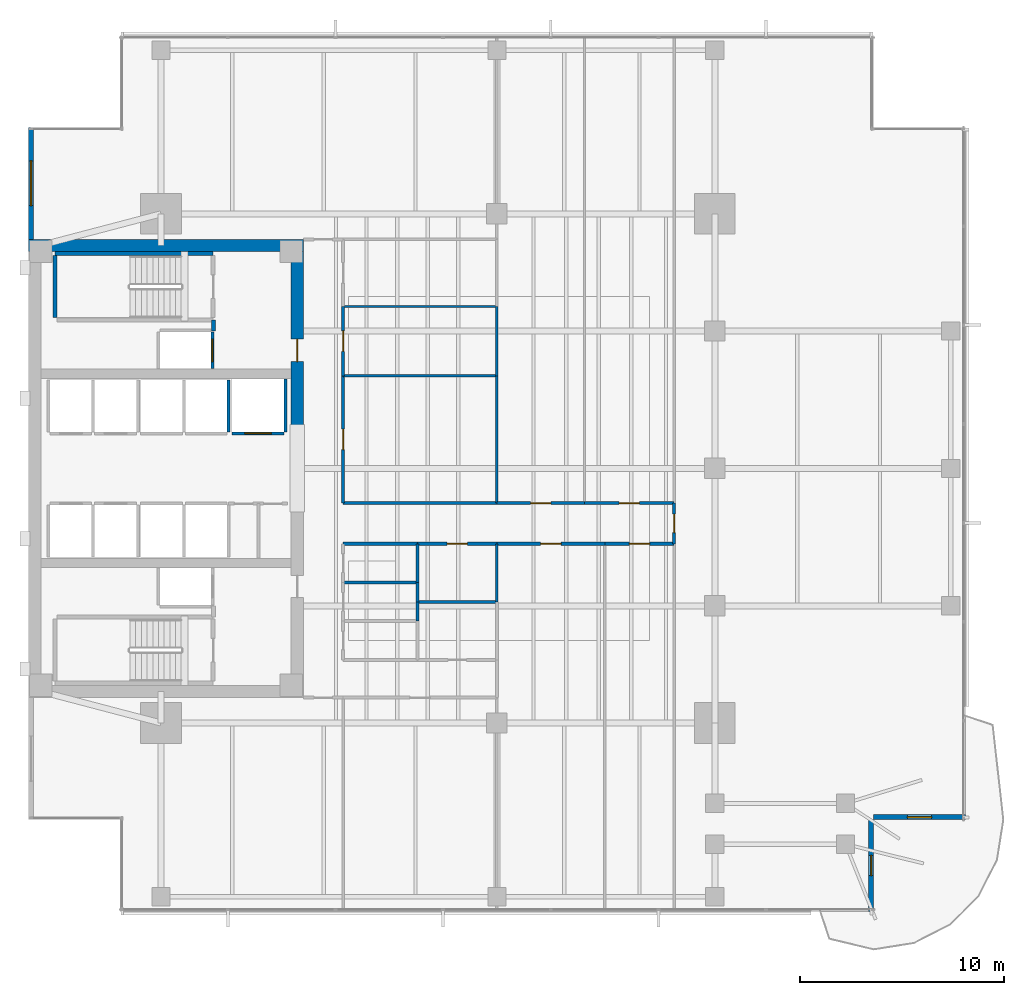
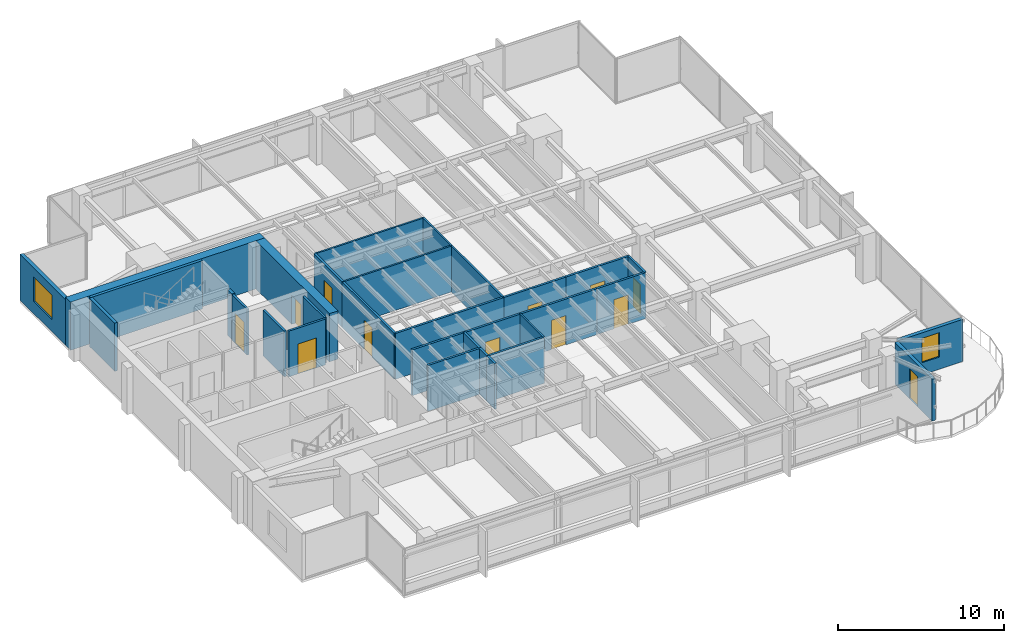
# One storey, part 9 of 14: 32 walls, 12 doors, 2 windows, 14 openings.
"""IFC4 building model written with IfcOpenShell, lengths in metres."""

from ifc_helpers import new_model, si_unit, direction, frame, frame_2d, origin, place, context, subcontext, project, spatial, rectangle, extrude, material, layer, layer_set, type_object, element, fill, save


model = new_model("IFC4")

# Units and contexts
model_context = context("Model", 3, precision=1e-05, world=origin(), true_north=direction((0.0, 1.0)))
body_context = subcontext(model_context, "Body", "Model", "MODEL_VIEW")
ifc_project = project(units=[si_unit("LENGTHUNIT", "METRE"), si_unit("AREAUNIT", "SQUARE_METRE"), si_unit("VOLUMEUNIT", "CUBIC_METRE"), si_unit("PLANEANGLEUNIT", "RADIAN"), si_unit("MASSUNIT", "GRAM", prefix="KILO")], contexts=[model_context])

# Site, building, storey
site_placement = place(None, origin())
site = spatial("IfcSite", under=ifc_project, at=site_placement, CompositionType="ELEMENT")
building_placement = place(site_placement, origin())
building = spatial("IfcBuilding", under=site, at=building_placement, Name="Kinhvarn Gate Tower", CompositionType="ELEMENT")
storey_placement = place(building_placement, frame((0.0, 0.0, 134.199951171875)))
storey = spatial("IfcBuildingStorey", under=building, at=storey_placement, Name="L35", CompositionType="ELEMENT", Elevation=134.199951171875)

# Wall
ifc_material_1 = material(Name="Concrete C60/75", Category="concrete")
ifc_layer_1 = layer(ifc_material_1, 0.60009765625)
ifc_layer_set_1 = layer_set([ifc_layer_1], Name="Concrete C60/75")
wall_type_1 = type_object("IfcWallType", Name="WL-CORE-600", PredefinedType="SHEAR", material=ifc_layer_set_1)
wall_1_placement = place(storey_placement, frame((4.5, 36.199951171875, 0.0), z_axis=(0.0, 0.0, 1.0), x_axis=(1.0, 0.0, 0.0)))
element("IfcWall", 1, at=wall_1_placement, inside=storey, type_object=wall_type_1, Name="Core North Shear Wall L35 600 mm", PredefinedType="SHEAR", context=body_context, shape_type="SweptSolid", body=[
    extrude(rectangle(XDim=13.5, YDim=0.60009765625, at=frame_2d((6.75, 0.0))), origin(), (0.0, 0.0, 1.0), 3.550048828125),
])

# Wall, opening, door
wall_2_placement = place(storey_placement, frame((17.699951171875, 27.050048828125, 0.0), z_axis=(0.0, 0.0, 1.0), x_axis=(0.0, 1.0, 0.0)))
wall_2 = element("IfcWall", 2, at=wall_2_placement, inside=storey, type_object=wall_type_1, Name="Core East-North Shear Pier L35 600 mm", PredefinedType="SHEAR", context=body_context, shape_type="SweptSolid", body=[
    extrude(rectangle(XDim=8.849853515625, YDim=0.60009765625, at=frame_2d((4.4248046875, 0.0))), origin(), (0.0, 0.0, 1.0), 3.550048828125),
])
opening_1_placement = place(wall_2_placement, frame((3.449951171875, 0.0, 0.0)))
opening_1 = element("IfcOpeningElement", 3, at=opening_1_placement, cuts=wall_2, Name="Opening FD-02", PredefinedType="OPENING", context=body_context, shape_type="SweptSolid", body=[
    extrude(rectangle(XDim=1.10009765625, YDim=2.14990234375, at=frame_2d((0.550048828125, 1.074951171875))), frame((0.0, 0.31005859375, 0.0), z_axis=(0.0, -1.0, 0.0), x_axis=(1.0, 0.0, 0.0)), (0.0, 0.0, 1.0), 0.6201171875),
])
ifc_material_2 = material(Name="Anodised aluminium AW-6063", Category="aluminium")
door_type_1 = type_object("IfcDoorType", Name="DR-FD-1100", OperationType="NOTDEFINED", PredefinedType="DOOR", material=ifc_material_2)
door_1_placement = place(opening_1_placement, origin())
door_1 = element("IfcDoor", 4, at=door_1_placement, inside=storey, type_object=door_type_1, Name="Firefighting Lobby Core Door (L35)", OperationType="SINGLE_SWING_LEFT", OverallHeight=2.14990234375, OverallWidth=1.10009765625, PredefinedType="DOOR", context=body_context, shape_type="SweptSolid", body=[
    extrude(rectangle(XDim=1.10009765625, YDim=2.14990234375, at=frame_2d((0.550048828125, 1.074951171875))), frame((0.0, 0.02490234375, 0.0), z_axis=(0.0, -1.0, 0.0), x_axis=(1.0, 0.0, 0.0)), (0.0, 0.0, 1.0), 0.050048828125),
])
fill(opening_1, door_1)

# Wall, opening, window
ifc_material_3 = material(Name="Fired architectural terracotta", Category="masonry")
ifc_layer_2 = layer(ifc_material_3, 0.25)
ifc_layer_set_2 = layer_set([ifc_layer_2], Name="Fired architectural terracotta")
wall_type_2 = type_object("IfcWallType", Name="WL-EXT-250", PredefinedType="SOLIDWALL", material=ifc_layer_set_2)
wall_3_placement = place(storey_placement, frame((4.625, 42.0, 0.0), z_axis=(0.0, 0.0, 1.0), x_axis=(0.0, -1.0, 0.0)))
wall_3 = element("IfcWall", 5, at=wall_3_placement, inside=storey, type_object=wall_type_2, Name="Exterior Solidwall Wall EW-250 (L35 West-North)", PredefinedType="SOLIDWALL", context=body_context, shape_type="SweptSolid", body=[
    extrude(rectangle(XDim=5.5, YDim=0.25, at=frame_2d((2.75, 0.0))), origin(), (0.0, 0.0, 1.0), 3.3701171875),
])
opening_2_placement = place(wall_3_placement, frame((1.64990234375, 0.0, 0.89990234375)))
opening_2 = element("IfcOpeningElement", 6, at=opening_2_placement, cuts=wall_3, Name="Opening WN-01", PredefinedType="OPENING", context=body_context, shape_type="SweptSolid", body=[
    extrude(rectangle(XDim=2.199951171875, YDim=1.800048828125, at=frame_2d((1.10009765625, 0.89990234375))), frame((0.0, 0.135009765625, 0.0), z_axis=(0.0, -1.0, 0.0), x_axis=(1.0, 0.0, 0.0)), (0.0, 0.0, 1.0), 0.27001953125),
])
ifc_material_4 = material(Name="Clear low-e double glazing", Category="glass")
window_type_1 = type_object("IfcWindowType", Name="WIN-RIB-2200", PartitioningType="SINGLE_PANEL", PredefinedType="WINDOW", material=ifc_material_4)
window_1_placement = place(opening_2_placement, origin())
window_1 = element("IfcWindow", 7, at=window_1_placement, inside=storey, type_object=window_type_1, Name="West Flank Double-Glazed Ribbon Window 2200x1800 mm (L35)", OverallHeight=1.800048828125, OverallWidth=2.199951171875, PartitioningType="SINGLE_PANEL", PredefinedType="WINDOW", context=body_context, shape_type="SweptSolid", body=[
    extrude(rectangle(XDim=2.199951171875, YDim=1.800048828125, at=frame_2d((1.10009765625, 0.89990234375))), frame((0.0, 0.030029296875, 0.0), z_axis=(0.0, -1.0, 0.0), x_axis=(1.0, 0.0, 0.0)), (0.0, 0.0, 1.0), 0.06005859375),
])
fill(opening_2, window_1)

# Wall, opening, door
wall_4_placement = place(storey_placement, frame((45.875, 3.5, 0.0), z_axis=(0.0, 0.0, 1.0), x_axis=(0.0, 1.0, 0.0)))
wall_4 = element("IfcWall", 8, at=wall_4_placement, inside=storey, type_object=wall_type_2, Name="Exterior Solidwall Wall EW-250 (L35 SE-Notch-Door)", PredefinedType="SOLIDWALL", context=body_context, shape_type="SweptSolid", body=[
    extrude(rectangle(XDim=4.5, YDim=0.25, at=frame_2d((2.25, 0.0))), origin(), (0.0, 0.0, 1.0), 3.070068359375),
])
opening_3_placement = place(wall_4_placement, frame((1.75, 0.0, 0.0)))
opening_3 = element("IfcOpeningElement", 9, at=opening_3_placement, cuts=wall_4, Name="Opening BD-01", PredefinedType="OPENING", context=body_context, shape_type="SweptSolid", body=[
    extrude(rectangle(XDim=1.0, YDim=2.199951171875, at=frame_2d((0.5, 1.10009765625))), frame((0.0, 0.135009765625, 0.0), z_axis=(0.0, -1.0, 0.0), x_axis=(1.0, 0.0, 0.0)), (0.0, 0.0, 1.0), 0.27001953125),
])
door_type_2 = type_object("IfcDoorType", Name="DR-BAL-1000", OperationType="NOTDEFINED", PredefinedType="DOOR", material=ifc_material_4)
door_2_placement = place(opening_3_placement, frame((1.0, 0.0, 0.0), z_axis=(0.0, 0.0, 1.0), x_axis=(-1.0, 0.0, 0.0)))
door_2 = element("IfcDoor", 10, at=door_2_placement, inside=storey, type_object=door_type_2, Name="S-Carve Balcony Door BD-01 (L35)", OperationType="SINGLE_SWING_LEFT", OverallHeight=2.199951171875, OverallWidth=1.0, PredefinedType="DOOR", context=body_context, shape_type="SweptSolid", body=[
    extrude(rectangle(XDim=1.0, YDim=2.199951171875, at=frame_2d((0.5, 1.10009765625))), frame((0.0, 0.02490234375, 0.0), z_axis=(0.0, -1.0, 0.0), x_axis=(1.0, 0.0, 0.0)), (0.0, 0.0, 1.0), 0.050048828125),
])
fill(opening_3, door_2)

# Wall, opening, window
wall_5_placement = place(storey_placement, frame((46.0, 8.125, 0.0), z_axis=(0.0, 0.0, 1.0), x_axis=(1.0, 0.0, 0.0)))
wall_5 = element("IfcWall", 11, at=wall_5_placement, inside=storey, type_object=wall_type_2, Name="Exterior Solidwall Wall EW-250 (L35 SE-Notch-Win)", PredefinedType="SOLIDWALL", context=body_context, shape_type="SweptSolid", body=[
    extrude(rectangle(XDim=4.5, YDim=0.25, at=frame_2d((2.25, 0.0))), origin(), (0.0, 0.0, 1.0), 3.10009765625),
])
opening_4_placement = place(wall_5_placement, frame((1.64990234375, 0.0, 0.89990234375)))
opening_4 = element("IfcOpeningElement", 12, at=opening_4_placement, cuts=wall_5, Name="Opening WN-02", PredefinedType="OPENING", context=body_context, shape_type="SweptSolid", body=[
    extrude(rectangle(XDim=1.199951171875, YDim=1.800048828125, at=frame_2d((0.60009765625, 0.89990234375))), frame((0.0, 0.135009765625, 0.0), z_axis=(0.0, -1.0, 0.0), x_axis=(1.0, 0.0, 0.0)), (0.0, 0.0, 1.0), 0.27001953125),
])
window_type_2 = type_object("IfcWindowType", Name="WIN-NTC-1200", PartitioningType="SINGLE_PANEL", PredefinedType="WINDOW", material=ifc_material_4)
window_2_placement = place(opening_4_placement, origin())
window_2 = element("IfcWindow", 13, at=window_2_placement, inside=storey, type_object=window_type_2, Name="Recessed Corner Notch Punched Window 1200x1800 mm (L35)", OverallHeight=1.800048828125, OverallWidth=1.199951171875, PartitioningType="SINGLE_PANEL", PredefinedType="WINDOW", context=body_context, shape_type="SweptSolid", body=[
    extrude(rectangle(XDim=1.199951171875, YDim=1.800048828125, at=frame_2d((0.60009765625, 0.89990234375))), frame((0.0, 0.030029296875, 0.0), z_axis=(0.0, -1.0, 0.0), x_axis=(1.0, 0.0, 0.0)), (0.0, 0.0, 1.0), 0.06005859375),
])
fill(opening_4, window_2)

# Walls
ifc_material_5 = material(Name="Gypsum acoustic partition board")
ifc_layer_3 = layer(ifc_material_5, 0.14990234375)
ifc_layer_set_3 = layer_set([ifc_layer_3], Name="Gypsum acoustic partition board")
wall_type_3 = type_object("IfcWallType", Name="WL-PLM-150", PredefinedType="PLUMBINGWALL", material=ifc_layer_set_3)
wall_6_placement = place(storey_placement, frame((19.949951171875, 19.64990234375, 0.0), z_axis=(0.0, 0.0, 1.0), x_axis=(1.0, 0.0, 0.0)))
element("IfcWall", 14, at=wall_6_placement, inside=storey, type_object=wall_type_3, Name="Interior Partition PLW-150 (L35)", PredefinedType="PLUMBINGWALL", context=body_context, shape_type="SweptSolid", body=[
    extrude(rectangle(XDim=3.650146484375, YDim=0.14990234375, at=frame_2d((1.8251953125, 0.0))), origin(), (0.0, 0.0, 1.0), 3.3701171875),
])
for number, where, z_axis, x_axis, name in (
    (15, (23.60009765625, 17.75, 0.0), (0.0, 0.0, 1.0), (0.0, 1.0, 0.0), "Interior Partition PLW-150 (L35)"),
    (16, (23.60009765625, 18.699951171875, 0.0), (0.0, 0.0, 1.0), (0.0, 1.0, 0.0), "Interior Partition PLW-150 (L35)"),
):
    element("IfcWall", number, at=place(storey_placement, frame(where, z_axis=z_axis, x_axis=x_axis)), inside=storey, type_object=wall_type_3, Name=name, PredefinedType="PLUMBINGWALL", context=body_context, shape_type="SweptSolid", body=[
        extrude(rectangle(XDim=0.949951171875, YDim=0.14990234375, at=frame_2d((0.47509765625, 0.0))), origin(), (0.0, 0.0, 1.0), 3.3701171875),
    ])
wall_7_placement = place(storey_placement, frame((23.60009765625, 19.64990234375, 0.0), z_axis=(0.0, 0.0, 1.0), x_axis=(0.0, 1.0, 0.0)))
element("IfcWall", 17, at=wall_7_placement, inside=storey, type_object=wall_type_3, Name="Interior Partition PLW-150 (L35)", PredefinedType="PLUMBINGWALL", context=body_context, shape_type="SweptSolid", body=[
    extrude(rectangle(XDim=1.900146484375, YDim=0.14990234375, at=frame_2d((0.9501953125, 0.0))), origin(), (0.0, 0.0, 1.0), 3.3701171875),
])
wall_8_placement = place(storey_placement, frame((23.60009765625, 18.699951171875, 0.0), z_axis=(0.0, 0.0, 1.0), x_axis=(1.0, 0.0, 0.0)))
element("IfcWall", 18, at=wall_8_placement, inside=storey, type_object=wall_type_3, Name="Interior Partition PLW-150 (L35)", PredefinedType="PLUMBINGWALL", context=body_context, shape_type="SweptSolid", body=[
    extrude(rectangle(XDim=3.89990234375, YDim=0.14990234375, at=frame_2d((1.949951171875, 0.0))), origin(), (0.0, 0.0, 1.0), 3.3701171875),
])
ifc_layer_4 = layer(ifc_material_5, 0.14990234375)
ifc_layer_set_4 = layer_set([ifc_layer_4], Name="Gypsum acoustic partition board")
wall_type_4 = type_object("IfcWallType", Name="WL-PLM-150F", PredefinedType="PLUMBINGWALL", material=ifc_layer_set_4)
wall_9_placement = place(storey_placement, frame((19.949951171875, 21.550048828125, 0.0), z_axis=(0.0, 0.0, 1.0), x_axis=(1.0, 0.0, 0.0)))
element("IfcWall", 19, at=wall_9_placement, inside=storey, type_object=wall_type_4, Name="Interior Partition PLW-150F (L35)", PredefinedType="PLUMBINGWALL", context=body_context, shape_type="SweptSolid", body=[
    extrude(rectangle(XDim=3.650146484375, YDim=0.14990234375, at=frame_2d((1.8251953125, 0.0))), origin(), (0.0, 0.0, 1.0), 3.3701171875),
])
ifc_layer_5 = layer(ifc_material_5, 0.1201171875)
ifc_layer_set_5 = layer_set([ifc_layer_5], Name="Gypsum acoustic partition board")
wall_type_5 = type_object("IfcWallType", Name="WL-PRT-120", PredefinedType="PARTITIONING", material=ifc_layer_set_5)
wall_10_placement = place(storey_placement, frame((27.5, 18.699951171875, 0.0), z_axis=(0.0, 0.0, 1.0), x_axis=(0.0, 1.0, 0.0)))
element("IfcWall", 20, at=wall_10_placement, inside=storey, type_object=wall_type_5, Name="Interior Partition PW-120 (L35)", PredefinedType="PARTITIONING", context=body_context, shape_type="SweptSolid", body=[
    extrude(rectangle(XDim=2.85009765625, YDim=0.1201171875, at=frame_2d((1.425048828125, 0.0))), origin(), (0.0, 0.0, 1.0), 3.3701171875),
])
wall_11_placement = place(storey_placement, frame((19.949951171875, 29.800048828125, 0.0), z_axis=(0.0, 0.0, 1.0), x_axis=(1.0, 0.0, 0.0)))
element("IfcWall", 21, at=wall_11_placement, inside=storey, type_object=wall_type_5, Name="Interior Partition PW-120 (L35)", PredefinedType="PARTITIONING", context=body_context, shape_type="SweptSolid", body=[
    extrude(rectangle(XDim=7.550048828125, YDim=0.1201171875, at=frame_2d((3.77490234375, 0.0))), origin(), (0.0, 0.0, 1.0), 3.3701171875),
])
wall_12_placement = place(storey_placement, frame((27.5, 23.550048828125, 0.0), z_axis=(0.0, 0.0, 1.0), x_axis=(0.0, 1.0, 0.0)))
element("IfcWall", 22, at=wall_12_placement, inside=storey, type_object=wall_type_5, Name="Interior Partition PW-120 (L35)", PredefinedType="PARTITIONING", context=body_context, shape_type="SweptSolid", body=[
    extrude(rectangle(XDim=6.25, YDim=0.1201171875, at=frame_2d((3.125, 0.0))), origin(), (0.0, 0.0, 1.0), 3.3701171875),
])
wall_13_placement = place(storey_placement, frame((19.949951171875, 33.199951171875, 0.0), z_axis=(0.0, 0.0, 1.0), x_axis=(1.0, 0.0, 0.0)))
element("IfcWall", 23, at=wall_13_placement, inside=storey, type_object=wall_type_5, Name="Interior Partition PW-120 (L35)", PredefinedType="PARTITIONING", context=body_context, shape_type="SweptSolid", body=[
    extrude(rectangle(XDim=7.550048828125, YDim=0.1201171875, at=frame_2d((3.77490234375, 0.0))), origin(), (0.0, 0.0, 1.0), 3.3701171875),
])
wall_14_placement = place(storey_placement, frame((27.5, 29.800048828125, 0.0), z_axis=(0.0, 0.0, 1.0), x_axis=(0.0, 1.0, 0.0)))
element("IfcWall", 24, at=wall_14_placement, inside=storey, type_object=wall_type_5, Name="Interior Partition PW-120 (L35)", PredefinedType="PARTITIONING", context=body_context, shape_type="SweptSolid", body=[
    extrude(rectangle(XDim=3.39990234375, YDim=0.1201171875, at=frame_2d((1.699951171875, 0.0))), origin(), (0.0, 0.0, 1.0), 3.3701171875),
])

# Wall, opening, door
ifc_layer_6 = layer(ifc_material_5, 0.14990234375)
ifc_layer_set_6 = layer_set([ifc_layer_6], Name="Gypsum acoustic partition board")
wall_type_6 = type_object("IfcWallType", Name="WL-PRT-150F", PredefinedType="PARTITIONING", material=ifc_layer_set_6)
wall_15_placement = place(storey_placement, frame((19.949951171875, 23.550048828125, 0.0), z_axis=(0.0, 0.0, 1.0), x_axis=(0.0, 1.0, 0.0)))
wall_15 = element("IfcWall", 25, at=wall_15_placement, inside=storey, type_object=wall_type_6, Name="Interior Partition PW-150F (L35)", PredefinedType="PARTITIONING", context=body_context, shape_type="SweptSolid", body=[
    extrude(rectangle(XDim=6.25, YDim=0.14990234375, at=frame_2d((3.125, 0.0))), origin(), (0.0, 0.0, 1.0), 3.3701171875),
])
opening_5_placement = place(wall_15_placement, frame((2.625, 0.0, 0.0)))
opening_5 = element("IfcOpeningElement", 26, at=opening_5_placement, cuts=wall_15, Name="Opening ID-02", PredefinedType="OPENING", context=body_context, shape_type="SweptSolid", body=[
    extrude(rectangle(XDim=1.0, YDim=2.14990234375, at=frame_2d((0.5, 1.074951171875))), frame((0.0, 0.0849609375, 0.0), z_axis=(0.0, -1.0, 0.0), x_axis=(1.0, 0.0, 0.0)), (0.0, 0.0, 1.0), 0.169921875),
])
door_type_3 = type_object("IfcDoorType", Name="DR-INT-1000", OperationType="NOTDEFINED", PredefinedType="DOOR", material=ifc_material_2)
door_3_placement = place(opening_5_placement, origin())
door_3 = element("IfcDoor", 27, at=door_3_placement, inside=storey, type_object=door_type_3, Name="Standard Office & Meeting Room Door 1000x2150 mm (L35)", OperationType="SINGLE_SWING_RIGHT", OverallHeight=2.14990234375, OverallWidth=1.0, PredefinedType="DOOR", context=body_context, shape_type="SweptSolid", body=[
    extrude(rectangle(XDim=1.0, YDim=2.14990234375, at=frame_2d((0.5, 1.074951171875))), frame((0.0, 0.02490234375, 0.0), z_axis=(0.0, -1.0, 0.0), x_axis=(1.0, 0.0, 0.0)), (0.0, 0.0, 1.0), 0.050048828125),
])
fill(opening_5, door_3)

wall_16_placement = place(storey_placement, frame((19.949951171875, 29.800048828125, 0.0), z_axis=(0.0, 0.0, 1.0), x_axis=(0.0, 1.0, 0.0)))
wall_16 = element("IfcWall", 28, at=wall_16_placement, inside=storey, type_object=wall_type_6, Name="Interior Partition PW-150F (L35)", PredefinedType="PARTITIONING", context=body_context, shape_type="SweptSolid", body=[
    extrude(rectangle(XDim=3.39990234375, YDim=0.14990234375, at=frame_2d((1.699951171875, 0.0))), origin(), (0.0, 0.0, 1.0), 3.3701171875),
])
opening_6_placement = place(wall_16_placement, frame((1.199951171875, 0.0, 0.0)))
opening_6 = element("IfcOpeningElement", 29, at=opening_6_placement, cuts=wall_16, Name="Opening ID-02", PredefinedType="OPENING", context=body_context, shape_type="SweptSolid", body=[
    extrude(rectangle(XDim=1.0, YDim=2.14990234375, at=frame_2d((0.5, 1.074951171875))), frame((0.0, 0.0849609375, 0.0), z_axis=(0.0, -1.0, 0.0), x_axis=(1.0, 0.0, 0.0)), (0.0, 0.0, 1.0), 0.169921875),
])
door_4_placement = place(opening_6_placement, origin())
door_4 = element("IfcDoor", 30, at=door_4_placement, inside=storey, type_object=door_type_3, Name="Standard Office & Meeting Room Door 1000x2150 mm (L35)", OperationType="SINGLE_SWING_LEFT", OverallHeight=2.14990234375, OverallWidth=1.0, PredefinedType="DOOR", context=body_context, shape_type="SweptSolid", body=[
    extrude(rectangle(XDim=1.0, YDim=2.14990234375, at=frame_2d((0.5, 1.074951171875))), frame((0.0, 0.02490234375, 0.0), z_axis=(0.0, -1.0, 0.0), x_axis=(1.0, 0.0, 0.0)), (0.0, 0.0, 1.0), 0.050048828125),
])
fill(opening_6, door_4)

wall_17_placement = place(storey_placement, frame((23.60009765625, 21.550048828125, 0.0), z_axis=(0.0, 0.0, 1.0), x_axis=(1.0, 0.0, 0.0)))
wall_17 = element("IfcWall", 31, at=wall_17_placement, inside=storey, type_object=wall_type_6, Name="Interior Partition PW-150F (L35)", PredefinedType="PARTITIONING", context=body_context, shape_type="SweptSolid", body=[
    extrude(rectangle(XDim=3.89990234375, YDim=0.14990234375, at=frame_2d((1.949951171875, 0.0))), origin(), (0.0, 0.0, 1.0), 3.3701171875),
])
opening_7_placement = place(wall_17_placement, frame((1.449951171875, 0.0, 0.0)))
opening_7 = element("IfcOpeningElement", 32, at=opening_7_placement, cuts=wall_17, Name="Opening ID-02", PredefinedType="OPENING", context=body_context, shape_type="SweptSolid", body=[
    extrude(rectangle(XDim=1.0, YDim=2.14990234375, at=frame_2d((0.5, 1.074951171875))), frame((0.0, 0.0849609375, 0.0), z_axis=(0.0, -1.0, 0.0), x_axis=(1.0, 0.0, 0.0)), (0.0, 0.0, 1.0), 0.169921875),
])
door_5_placement = place(opening_7_placement, origin())
door_5 = element("IfcDoor", 33, at=door_5_placement, inside=storey, type_object=door_type_3, Name="Standard Office & Meeting Room Door 1000x2150 mm (L35)", OperationType="SINGLE_SWING_LEFT", OverallHeight=2.14990234375, OverallWidth=1.0, PredefinedType="DOOR", context=body_context, shape_type="SweptSolid", body=[
    extrude(rectangle(XDim=1.0, YDim=2.14990234375, at=frame_2d((0.5, 1.074951171875))), frame((0.0, 0.02490234375, 0.0), z_axis=(0.0, -1.0, 0.0), x_axis=(1.0, 0.0, 0.0)), (0.0, 0.0, 1.0), 0.050048828125),
])
fill(opening_7, door_5)

# Wall
wall_18_placement = place(storey_placement, frame((19.949951171875, 23.550048828125, 0.0), z_axis=(0.0, 0.0, 1.0), x_axis=(1.0, 0.0, 0.0)))
element("IfcWall", 34, at=wall_18_placement, inside=storey, type_object=wall_type_6, Name="Interior Partition PW-150F (L35)", PredefinedType="PARTITIONING", context=body_context, shape_type="SweptSolid", body=[
    extrude(rectangle(XDim=7.550048828125, YDim=0.14990234375, at=frame_2d((3.77490234375, 0.0))), origin(), (0.0, 0.0, 1.0), 3.3701171875),
])

# Wall, opening, door
wall_19_placement = place(storey_placement, frame((27.5, 21.550048828125, 0.0), z_axis=(0.0, 0.0, 1.0), x_axis=(1.0, 0.0, 0.0)))
wall_19 = element("IfcWall", 35, at=wall_19_placement, inside=storey, type_object=wall_type_6, Name="Interior Partition PW-150F (L35)", PredefinedType="PARTITIONING", context=body_context, shape_type="SweptSolid", body=[
    extrude(rectangle(XDim=5.300048828125, YDim=0.14990234375, at=frame_2d((2.64990234375, 0.0))), origin(), (0.0, 0.0, 1.0), 3.3701171875),
])
opening_8_placement = place(wall_19_placement, frame((2.14990234375, 0.0, 0.0)))
opening_8 = element("IfcOpeningElement", 36, at=opening_8_placement, cuts=wall_19, Name="Opening ID-02", PredefinedType="OPENING", context=body_context, shape_type="SweptSolid", body=[
    extrude(rectangle(XDim=1.0, YDim=2.14990234375, at=frame_2d((0.5, 1.074951171875))), frame((0.0, 0.0849609375, 0.0), z_axis=(0.0, -1.0, 0.0), x_axis=(1.0, 0.0, 0.0)), (0.0, 0.0, 1.0), 0.169921875),
])
door_6_placement = place(opening_8_placement, origin())
door_6 = element("IfcDoor", 37, at=door_6_placement, inside=storey, type_object=door_type_3, Name="Standard Office & Meeting Room Door 1000x2150 mm (L35)", OperationType="SINGLE_SWING_RIGHT", OverallHeight=2.14990234375, OverallWidth=1.0, PredefinedType="DOOR", context=body_context, shape_type="SweptSolid", body=[
    extrude(rectangle(XDim=1.0, YDim=2.14990234375, at=frame_2d((0.5, 1.074951171875))), frame((0.0, 0.02490234375, 0.0), z_axis=(0.0, -1.0, 0.0), x_axis=(1.0, 0.0, 0.0)), (0.0, 0.0, 1.0), 0.050048828125),
])
fill(opening_8, door_6)

wall_20_placement = place(storey_placement, frame((32.800048828125, 21.550048828125, 0.0), z_axis=(0.0, 0.0, 1.0), x_axis=(1.0, 0.0, 0.0)))
wall_20 = element("IfcWall", 38, at=wall_20_placement, inside=storey, type_object=wall_type_6, Name="Interior Partition PW-150F (L35)", PredefinedType="PARTITIONING", context=body_context, shape_type="SweptSolid", body=[
    extrude(rectangle(XDim=3.39990234375, YDim=0.14990234375, at=frame_2d((1.699951171875, 0.0))), origin(), (0.0, 0.0, 1.0), 3.3701171875),
])
opening_9_placement = place(wall_20_placement, frame((1.199951171875, 0.0, 0.0)))
opening_9 = element("IfcOpeningElement", 39, at=opening_9_placement, cuts=wall_20, Name="Opening ID-02", PredefinedType="OPENING", context=body_context, shape_type="SweptSolid", body=[
    extrude(rectangle(XDim=1.0, YDim=2.14990234375, at=frame_2d((0.5, 1.074951171875))), frame((0.0, 0.0849609375, 0.0), z_axis=(0.0, -1.0, 0.0), x_axis=(1.0, 0.0, 0.0)), (0.0, 0.0, 1.0), 0.169921875),
])
door_7_placement = place(opening_9_placement, origin())
door_7 = element("IfcDoor", 40, at=door_7_placement, inside=storey, type_object=door_type_3, Name="Standard Office & Meeting Room Door 1000x2150 mm (L35)", OperationType="SINGLE_SWING_LEFT", OverallHeight=2.14990234375, OverallWidth=1.0, PredefinedType="DOOR", context=body_context, shape_type="SweptSolid", body=[
    extrude(rectangle(XDim=1.0, YDim=2.14990234375, at=frame_2d((0.5, 1.074951171875))), frame((0.0, 0.02490234375, 0.0), z_axis=(0.0, -1.0, 0.0), x_axis=(1.0, 0.0, 0.0)), (0.0, 0.0, 1.0), 0.050048828125),
])
fill(opening_9, door_7)

wall_21_placement = place(storey_placement, frame((27.5, 23.550048828125, 0.0), z_axis=(0.0, 0.0, 1.0), x_axis=(1.0, 0.0, 0.0)))
wall_21 = element("IfcWall", 41, at=wall_21_placement, inside=storey, type_object=wall_type_6, Name="Interior Partition PW-150F (L35)", PredefinedType="PARTITIONING", context=body_context, shape_type="SweptSolid", body=[
    extrude(rectangle(XDim=4.300048828125, YDim=0.14990234375, at=frame_2d((2.14990234375, 0.0))), origin(), (0.0, 0.0, 1.0), 3.3701171875),
])
opening_10_placement = place(wall_21_placement, frame((1.64990234375, 0.0, 0.0)))
opening_10 = element("IfcOpeningElement", 42, at=opening_10_placement, cuts=wall_21, Name="Opening ID-02", PredefinedType="OPENING", context=body_context, shape_type="SweptSolid", body=[
    extrude(rectangle(XDim=1.0, YDim=2.14990234375, at=frame_2d((0.5, 1.074951171875))), frame((0.0, 0.0849609375, 0.0), z_axis=(0.0, -1.0, 0.0), x_axis=(1.0, 0.0, 0.0)), (0.0, 0.0, 1.0), 0.169921875),
])
door_8_placement = place(opening_10_placement, origin())
door_8 = element("IfcDoor", 43, at=door_8_placement, inside=storey, type_object=door_type_3, Name="Standard Office & Meeting Room Door 1000x2150 mm (L35)", OperationType="SINGLE_SWING_RIGHT", OverallHeight=2.14990234375, OverallWidth=1.0, PredefinedType="DOOR", context=body_context, shape_type="SweptSolid", body=[
    extrude(rectangle(XDim=1.0, YDim=2.14990234375, at=frame_2d((0.5, 1.074951171875))), frame((0.0, 0.02490234375, 0.0), z_axis=(0.0, -1.0, 0.0), x_axis=(1.0, 0.0, 0.0)), (0.0, 0.0, 1.0), 0.050048828125),
])
fill(opening_10, door_8)

wall_22_placement = place(storey_placement, frame((31.800048828125, 23.550048828125, 0.0), z_axis=(0.0, 0.0, 1.0), x_axis=(1.0, 0.0, 0.0)))
wall_22 = element("IfcWall", 44, at=wall_22_placement, inside=storey, type_object=wall_type_6, Name="Interior Partition PW-150F (L35)", PredefinedType="PARTITIONING", context=body_context, shape_type="SweptSolid", body=[
    extrude(rectangle(XDim=4.39990234375, YDim=0.14990234375, at=frame_2d((2.199951171875, 0.0))), origin(), (0.0, 0.0, 1.0), 3.3701171875),
])
opening_11_placement = place(wall_22_placement, frame((1.699951171875, 0.0, 0.0)))
opening_11 = element("IfcOpeningElement", 45, at=opening_11_placement, cuts=wall_22, Name="Opening ID-02", PredefinedType="OPENING", context=body_context, shape_type="SweptSolid", body=[
    extrude(rectangle(XDim=1.0, YDim=2.14990234375, at=frame_2d((0.5, 1.074951171875))), frame((0.0, 0.0849609375, 0.0), z_axis=(0.0, -1.0, 0.0), x_axis=(1.0, 0.0, 0.0)), (0.0, 0.0, 1.0), 0.169921875),
])
door_9_placement = place(opening_11_placement, origin())
door_9 = element("IfcDoor", 46, at=door_9_placement, inside=storey, type_object=door_type_3, Name="Standard Office & Meeting Room Door 1000x2150 mm (L35)", OperationType="SINGLE_SWING_LEFT", OverallHeight=2.14990234375, OverallWidth=1.0, PredefinedType="DOOR", context=body_context, shape_type="SweptSolid", body=[
    extrude(rectangle(XDim=1.0, YDim=2.14990234375, at=frame_2d((0.5, 1.074951171875))), frame((0.0, 0.02490234375, 0.0), z_axis=(0.0, -1.0, 0.0), x_axis=(1.0, 0.0, 0.0)), (0.0, 0.0, 1.0), 0.050048828125),
])
fill(opening_11, door_9)

wall_23_placement = place(storey_placement, frame((36.199951171875, 21.550048828125, 0.0), z_axis=(0.0, 0.0, 1.0), x_axis=(0.0, 1.0, 0.0)))
wall_23 = element("IfcWall", 47, at=wall_23_placement, inside=storey, type_object=wall_type_6, Name="Interior Partition PW-150F (L35)", PredefinedType="PARTITIONING", context=body_context, shape_type="SweptSolid", body=[
    extrude(rectangle(XDim=2.0, YDim=0.14990234375, at=frame_2d((1.0, 0.0))), origin(), (0.0, 0.0, 1.0), 3.3701171875),
])
opening_12_placement = place(wall_23_placement, frame((0.550048828125, 0.0, 0.0)))
opening_12 = element("IfcOpeningElement", 48, at=opening_12_placement, cuts=wall_23, Name="Opening ID-03", PredefinedType="OPENING", context=body_context, shape_type="SweptSolid", body=[
    extrude(rectangle(XDim=0.89990234375, YDim=2.10009765625, at=frame_2d((0.449951171875, 1.050048828125))), frame((0.0, 0.0849609375, 0.0), z_axis=(0.0, -1.0, 0.0), x_axis=(1.0, 0.0, 0.0)), (0.0, 0.0, 1.0), 0.169921875),
])
door_type_4 = type_object("IfcDoorType", Name="DR-INT-900", OperationType="NOTDEFINED", PredefinedType="DOOR", material=ifc_material_2)
door_10_placement = place(opening_12_placement, origin())
door_10 = element("IfcDoor", 49, at=door_10_placement, inside=storey, type_object=door_type_4, Name="Cellular Office & Restroom Door 900x2100 mm (L35)", OperationType="SINGLE_SWING_RIGHT", OverallHeight=2.10009765625, OverallWidth=0.89990234375, PredefinedType="DOOR", context=body_context, shape_type="SweptSolid", body=[
    extrude(rectangle(XDim=0.89990234375, YDim=2.10009765625, at=frame_2d((0.449951171875, 1.050048828125))), frame((0.0, 0.02490234375, 0.0), z_axis=(0.0, -1.0, 0.0), x_axis=(1.0, 0.0, 0.0)), (0.0, 0.0, 1.0), 0.050048828125),
])
fill(opening_12, door_10)

# Walls
ifc_layer_7 = layer(ifc_material_5, 0.199951171875)
ifc_layer_set_7 = layer_set([ifc_layer_7], Name="Gypsum acoustic partition board")
wall_type_7 = type_object("IfcWallType", Name="WL-PRT-200", PredefinedType="PARTITIONING", material=ifc_layer_set_7)
wall_24_placement = place(storey_placement, frame((13.580078125, 32.0, 0.0), z_axis=(0.0, 0.0, 1.0), x_axis=(0.0, 1.0, 0.0)))
element("IfcWall", 50, at=wall_24_placement, inside=storey, type_object=wall_type_7, Name="Interior Partition PW-200 (L35)", PredefinedType="PARTITIONING", context=body_context, shape_type="SweptSolid", body=[
    extrude(rectangle(XDim=0.5400390625, YDim=0.199951171875, at=frame_2d((0.27001953125, 0.0))), origin(), (0.0, 0.0, 1.0), 3.3701171875),
])
ifc_layer_8 = layer(ifc_material_5, 0.14990234375)
ifc_layer_set_8 = layer_set([ifc_layer_8], Name="Gypsum acoustic partition board")
wall_type_8 = type_object("IfcWallType", Name="WL-SHF-150", PredefinedType="PARTITIONING", material=ifc_layer_set_8)
wall_25_placement = place(storey_placement, frame((14.324951171875, 27.050048828125, 0.0), z_axis=(0.0, 0.0, 1.0), x_axis=(0.0, 1.0, 0.0)))
element("IfcWall", 51, at=wall_25_placement, inside=storey, type_object=wall_type_8, Name="Elevator PH-12 Hoistway Wall E (L35)", PredefinedType="PARTITIONING", context=body_context, shape_type="SweptSolid", body=[
    extrude(rectangle(XDim=2.550048828125, YDim=0.14990234375, at=frame_2d((1.27490234375, 0.0))), origin(), (0.0, 0.0, 1.0), 3.3701171875),
])

# Wall, opening, door
wall_26_placement = place(storey_placement, frame((14.5, 26.97509765625, 0.0), z_axis=(0.0, 0.0, 1.0), x_axis=(1.0, 0.0, 0.0)))
wall_26 = element("IfcWall", 52, at=wall_26_placement, inside=storey, type_object=wall_type_8, Name="Elevator SV-01 Landing Wall (L35)", PredefinedType="PARTITIONING", context=body_context, shape_type="SweptSolid", body=[
    extrude(rectangle(XDim=2.550048828125, YDim=0.14990234375, at=frame_2d((1.27490234375, 0.0))), origin(), (0.0, 0.0, 1.0), 3.3701171875),
])
opening_13_placement = place(wall_26_placement, frame((0.625, 0.0, 0.0)))
opening_13 = element("IfcOpeningElement", 53, at=opening_13_placement, cuts=wall_26, Name="Opening LD-02", PredefinedType="OPENING", context=body_context, shape_type="SweptSolid", body=[
    extrude(rectangle(XDim=1.300048828125, YDim=2.199951171875, at=frame_2d((0.64990234375, 1.10009765625))), frame((0.0, 0.0849609375, 0.0), z_axis=(0.0, -1.0, 0.0), x_axis=(1.0, 0.0, 0.0)), (0.0, 0.0, 1.0), 0.169921875),
])
door_type_5 = type_object("IfcDoorType", Name="DR-LND-SRV", OperationType="NOTDEFINED", PredefinedType="DOOR", material=ifc_material_2)
door_11_placement = place(opening_13_placement, origin())
door_11 = element("IfcDoor", 54, at=door_11_placement, inside=storey, type_object=door_type_5, Name="Elevator SV-01 Sliding Landing Door (L35)", OperationType="DOUBLE_DOOR_SLIDING", OverallHeight=2.199951171875, OverallWidth=1.300048828125, PredefinedType="DOOR", context=body_context, shape_type="SweptSolid", body=[
    extrude(rectangle(XDim=1.300048828125, YDim=2.199951171875, at=frame_2d((0.64990234375, 1.10009765625))), frame((0.0, 0.02490234375, 0.0), z_axis=(0.0, -1.0, 0.0), x_axis=(1.0, 0.0, 0.0)), (0.0, 0.0, 1.0), 0.050048828125),
])
fill(opening_13, door_11)

# Wall
wall_27_placement = place(storey_placement, frame((17.125, 27.050048828125, 0.0), z_axis=(0.0, 0.0, 1.0), x_axis=(0.0, 1.0, 0.0)))
element("IfcWall", 55, at=wall_27_placement, inside=storey, type_object=wall_type_8, Name="Elevator SV-01 Hoistway Wall E (L35)", PredefinedType="PARTITIONING", context=body_context, shape_type="SweptSolid", body=[
    extrude(rectangle(XDim=2.599853515625, YDim=0.14990234375, at=frame_2d((1.2998046875, 0.0))), origin(), (0.0, 0.0, 1.0), 3.3701171875),
])

# Wall, opening, door
wall_28_placement = place(storey_placement, frame((13.52490234375, 30.14990234375, 0.0), z_axis=(0.0, 0.0, 1.0), x_axis=(0.0, 1.0, 0.0)))
wall_28 = element("IfcWall", 56, at=wall_28_placement, inside=storey, type_object=wall_type_8, Name="Elevator FF2 Landing Wall (L35)", PredefinedType="PARTITIONING", context=body_context, shape_type="SweptSolid", body=[
    extrude(rectangle(XDim=1.800048828125, YDim=0.14990234375, at=frame_2d((0.89990234375, 0.0))), origin(), (0.0, 0.0, 1.0), 3.3701171875),
])
opening_14_placement = place(wall_28_placement, frame((0.35009765625, 0.0, 0.0)))
opening_14 = element("IfcOpeningElement", 57, at=opening_14_placement, cuts=wall_28, Name="Opening LD-03", PredefinedType="OPENING", context=body_context, shape_type="SweptSolid", body=[
    extrude(rectangle(XDim=1.10009765625, YDim=2.199951171875, at=frame_2d((0.550048828125, 1.10009765625))), frame((0.0, 0.0849609375, 0.0), z_axis=(0.0, -1.0, 0.0), x_axis=(1.0, 0.0, 0.0)), (0.0, 0.0, 1.0), 0.169921875),
])
door_type_6 = type_object("IfcDoorType", Name="DR-LND-FF", OperationType="NOTDEFINED", PredefinedType="DOOR", material=ifc_material_2)
door_12_placement = place(opening_14_placement, origin())
door_12 = element("IfcDoor", 58, at=door_12_placement, inside=storey, type_object=door_type_6, Name="Elevator FF2 Sliding Landing Door (L35)", OperationType="DOUBLE_DOOR_SLIDING", OverallHeight=2.199951171875, OverallWidth=1.10009765625, PredefinedType="DOOR", context=body_context, shape_type="SweptSolid", body=[
    extrude(rectangle(XDim=1.10009765625, YDim=2.199951171875, at=frame_2d((0.550048828125, 1.10009765625))), frame((0.0, 0.02490234375, 0.0), z_axis=(0.0, -1.0, 0.0), x_axis=(1.0, 0.0, 0.0)), (0.0, 0.0, 1.0), 0.050048828125),
])
fill(opening_14, door_12)

# Walls
ifc_material_6 = material(Name="Concrete C40/50", Category="concrete")
ifc_layer_9 = layer(ifc_material_6, 0.199951171875)
ifc_layer_set_9 = layer_set([ifc_layer_9], Name="Concrete C40/50")
wall_type_9 = type_object("IfcWallType", Name="WL-SHF-200", PredefinedType="SOLIDWALL", material=ifc_layer_set_9)
wall_29_placement = place(storey_placement, frame((5.800048828125, 35.800048828125, 0.0), z_axis=(0.0, 0.0, 1.0), x_axis=(1.0, 0.0, 0.0)))
element("IfcWall", 59, at=wall_29_placement, inside=storey, type_object=wall_type_9, Name="Stair ST2 North Shaft Wall (L35)", PredefinedType="SOLIDWALL", context=body_context, shape_type="SweptSolid", body=[
    extrude(rectangle(XDim=7.75, YDim=0.199951171875, at=frame_2d((3.875, 0.0))), origin(), (0.0, 0.0, 1.0), 3.550048828125),
])
wall_30_placement = place(storey_placement, frame((5.7900390625, 32.64990234375, 0.0), z_axis=(0.0, 0.0, 1.0), x_axis=(0.0, 1.0, 0.0)))
element("IfcWall", 60, at=wall_30_placement, inside=storey, type_object=wall_type_9, Name="Stair ST2 West Shaft Wall (L35)", PredefinedType="SOLIDWALL", context=body_context, shape_type="SweptSolid", body=[
    extrude(rectangle(XDim=3.050048828125, YDim=0.199951171875, at=frame_2d((1.52490234375, 0.0))), origin(), (0.0, 0.0, 1.0), 3.550048828125),
])

save(model, "model.ifc")
